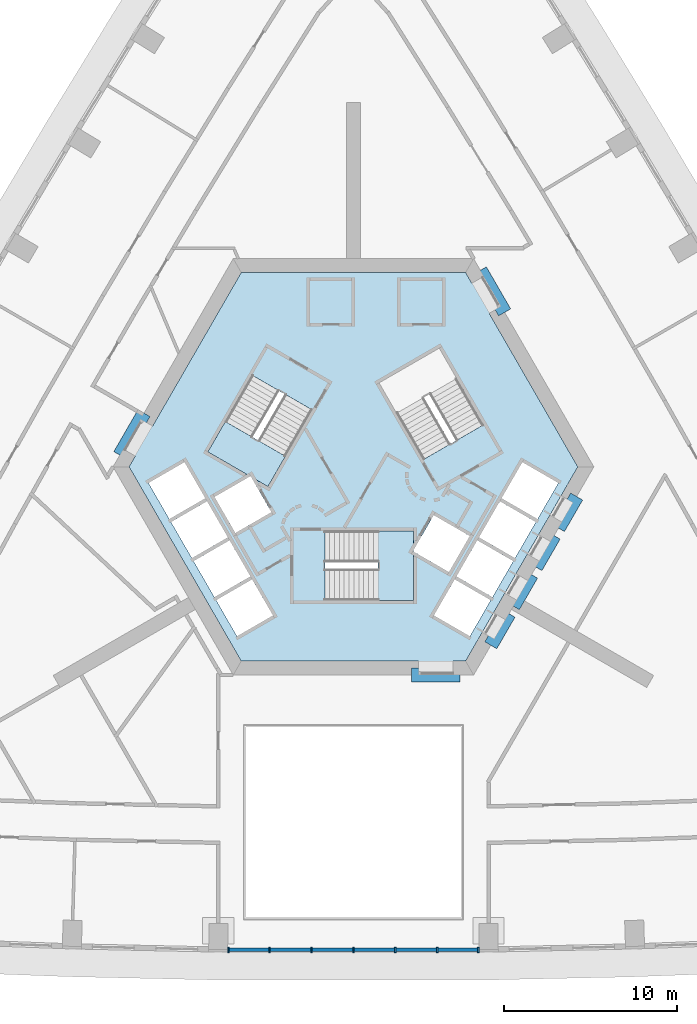
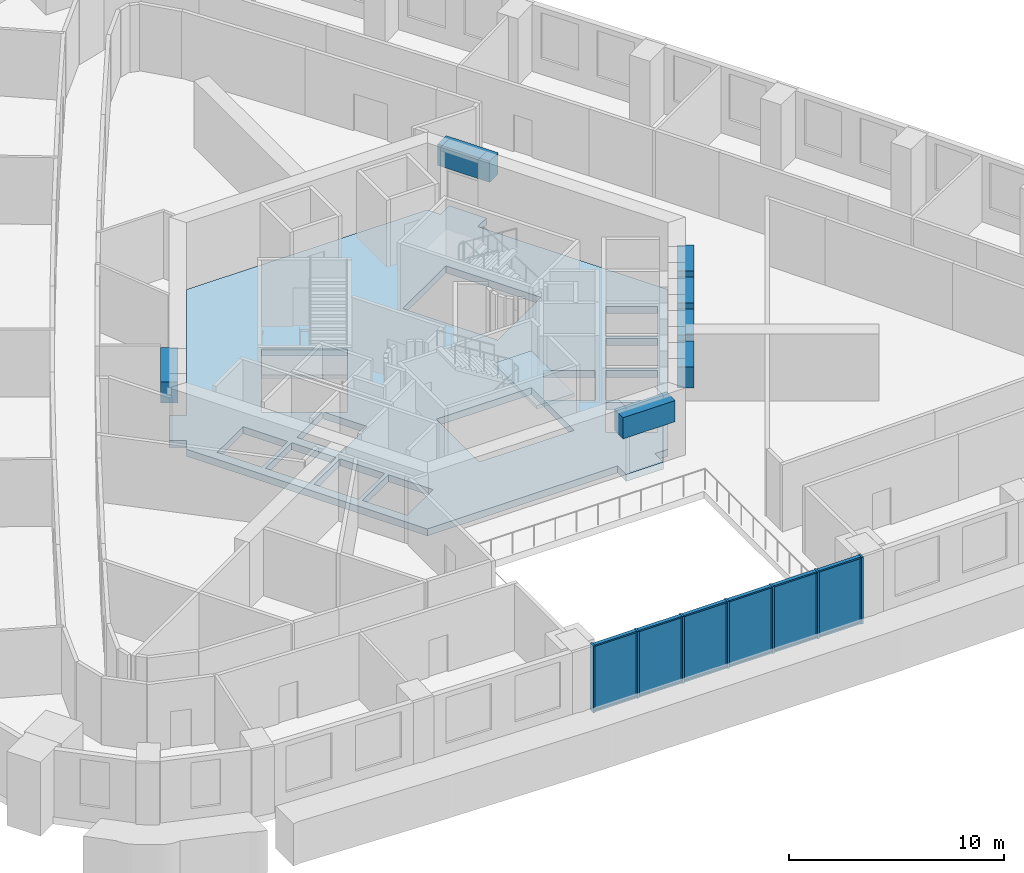
# One storey, part 2 of 17: 19 members, 7 beams, 6 plates, 3 slabs, 3 elements without a shape of their own.
"""IFC4 building model written with IfcOpenShell, lengths in metres."""

from ifc_helpers import new_model, si_unit, direction, frame, origin, origin_2d, place, context, subcontext, project, spatial, polyline, rectangle, outline, extrude, material, layer, layer_set, material_profile, profile_set, type_object, element, aggregate, save


model = new_model("IFC4")

# Units and contexts
model_context = context("Model", 3, precision=1e-05, world=origin(), true_north=direction((0.0, 1.0)))
body_context = subcontext(model_context, "Body", "Model", "MODEL_VIEW")
ifc_project = project(units=[si_unit("LENGTHUNIT", "METRE"), si_unit("AREAUNIT", "SQUARE_METRE"), si_unit("VOLUMEUNIT", "CUBIC_METRE"), si_unit("PLANEANGLEUNIT", "RADIAN"), si_unit("MASSUNIT", "GRAM", prefix="KILO")], contexts=[model_context])

# Site, building, storey
site_placement = place(None, origin())
site = spatial("IfcSite", under=ifc_project, at=site_placement, CompositionType="ELEMENT")
building_placement = place(site_placement, origin())
building = spatial("IfcBuilding", under=site, at=building_placement, Name="Entoto Arch Interchange Tower", CompositionType="ELEMENT")
storey_placement = place(building_placement, frame((0.0, 0.0, 167.60009765625)))
storey = spatial("IfcBuildingStorey", under=building, at=storey_placement, Name="L37", CompositionType="ELEMENT", Elevation=167.60009765625)

# Beams
ifc_material_1 = material(Name="Concrete C50/60", Category="concrete")
ifc_material_profile_1 = material_profile(ifc_material_1, rectangle(XDim=0.800048828125, YDim=1.199951171875, at=origin_2d()))
ifc_profile_set_1 = profile_set([ifc_material_profile_1], Name="Concrete C50/60")
beam_type = type_object("IfcBeamType", Name="Coupling beam RC 800x1200 C50/60", PredefinedType="BEAM", material=ifc_profile_set_1)
for number, where, z_axis, x_axis, name in (
    (1, (8.717041015625, 11.402099609375, 3.0), (-0.500200581029, 0.865909567298, 0.0), (-0.865909567298, -0.500200581029, 0.0), "Coupling beam NE L37"),
    (2, (-12.06689453125, 5.597900390625, 3.0), (-0.500200581029, -0.865909567298, 0.0), (0.865909567298, -0.500200581029, 0.0), "Coupling beam NW L37"),
):
    element("IfcBeam", number, at=place(storey_placement, frame(where, z_axis=z_axis, x_axis=x_axis)), inside=storey, type_object=beam_type, Name=name, PredefinedType="BEAM", context=body_context, shape_type="SweptSolid", body=[
        extrude(rectangle(XDim=0.800048828125, YDim=1.199951171875, at=origin_2d()), origin(), (0.0, 0.0, 1.0), 2.799072265625),
    ])
beam_1_placement = place(storey_placement, frame((3.35009765625, -9.5, 3.0), z_axis=(1.0, 0.0, 0.0), x_axis=(0.0, 1.0, 0.0)))
element("IfcBeam", 3, at=beam_1_placement, inside=storey, type_object=beam_type, Name="Coupling beam S L37", PredefinedType="BEAM", context=body_context, shape_type="SweptSolid", body=[
    extrude(rectangle(XDim=0.800048828125, YDim=1.199951171875, at=origin_2d()), origin(), (0.0, 0.0, 1.0), 2.7998046875),
])
for number, where, z_axis, x_axis, name in (
    (4, (7.9169921875, -7.785888671875, 3.0), (0.500178781653, 0.865922159541, 0.0), (-0.865922159541, 0.500178781653, 0.0), "Coupling beam SE L37"),
    (5, (9.217041015625, -5.534912109375, 3.0), (0.500178781653, 0.865922159541, 0.0), (-0.865922159541, 0.500178781653, 0.0), "Coupling beam SE L37"),
):
    element("IfcBeam", number, at=place(storey_placement, frame(where, z_axis=z_axis, x_axis=x_axis)), inside=storey, type_object=beam_type, Name=name, PredefinedType="BEAM", context=body_context, shape_type="SweptSolid", body=[
        extrude(rectangle(XDim=0.800048828125, YDim=1.199951171875, at=origin_2d()), origin(), (0.0, 0.0, 1.0), 2.099365234375),
    ])
beam_2_placement = place(storey_placement, frame((10.51708984375, -3.282958984375, 3.0), z_axis=(0.500091574638, 0.865972526687, 0.0), x_axis=(-0.865972526687, 0.500091574638, 0.0)))
element("IfcBeam", 6, at=beam_2_placement, inside=storey, type_object=beam_type, Name="Coupling beam SE L37", PredefinedType="BEAM", context=body_context, shape_type="SweptSolid", body=[
    extrude(rectangle(XDim=0.800048828125, YDim=1.199951171875, at=origin_2d()), origin(), (0.0, 0.0, 1.0), 2.09912109375),
])
beam_3_placement = place(storey_placement, frame((11.81689453125, -1.031982421875, 3.0), z_axis=(0.500178781653, 0.865922159541, 0.0), x_axis=(-0.865922159541, 0.500178781653, 0.0)))
element("IfcBeam", 7, at=beam_3_placement, inside=storey, type_object=beam_type, Name="Coupling beam SE L37", PredefinedType="BEAM", context=body_context, shape_type="SweptSolid", body=[
    extrude(rectangle(XDim=0.800048828125, YDim=1.199951171875, at=origin_2d()), origin(), (0.0, 0.0, 1.0), 2.099365234375),
])

# Curtain wall, members
ifc_material_2 = material(Name="Aluminium, anodised", Category="aluminium")
curtain_wall_type = type_object("IfcCurtainWallType", Name="CURTAIN WALL ATRIUM", PredefinedType="NOTDEFINED", material=ifc_material_2)
curtain_wall_placement = place(storey_placement, origin())
curtain_wall = element("IfcCurtainWall", 8, at=curtain_wall_placement, inside=storey, type_object=curtain_wall_type, Name="Atrium glazing S-03 L37", PredefinedType="NOTDEFINED")
ifc_material_profile_2 = material_profile(ifc_material_2, rectangle(XDim=0.300048828125, YDim=0.10009765625, at=origin_2d()))
ifc_profile_set_2 = profile_set([ifc_material_profile_2], Name="Aluminium, anodised")
member_type_1 = type_object("IfcMemberType", Name="MULLION ATRIUM 100x300", PredefinedType="MULLION", material=ifc_profile_set_2)
member_1_placement = place(storey_placement, frame((-7.198974609375, -25.347900390625, 0.0), z_axis=(0.0, 0.0, 1.0), x_axis=(0.0, 1.0, 0.0)))
member_1 = element("IfcMember", 9, at=member_1_placement, type_object=member_type_1, Name="CWA mullion 1", PredefinedType="MULLION", context=body_context, shape_type="SweptSolid", body=[
    extrude(rectangle(XDim=0.300048828125, YDim=0.10009765625, at=origin_2d()), origin(), (0.0, 0.0, 1.0), 3.7998046875),
])
member_2_placement = place(storey_placement, frame((-4.832763671875, -25.347900390625, 0.0), z_axis=(0.0, 0.0, 1.0), x_axis=(0.0, 1.0, 0.0)))
member_2 = element("IfcMember", 10, at=member_2_placement, type_object=member_type_1, Name="CWA mullion 2", PredefinedType="MULLION", context=body_context, shape_type="SweptSolid", body=[
    extrude(rectangle(XDim=0.300048828125, YDim=0.10009765625, at=origin_2d()), origin(), (0.0, 0.0, 1.0), 3.7998046875),
])
member_3_placement = place(storey_placement, frame((-2.416259765625, -25.347900390625, 0.0), z_axis=(0.0, 0.0, 1.0), x_axis=(0.0, 1.0, 0.0)))
member_3 = element("IfcMember", 11, at=member_3_placement, type_object=member_type_1, Name="CWA mullion 3", PredefinedType="MULLION", context=body_context, shape_type="SweptSolid", body=[
    extrude(rectangle(XDim=0.300048828125, YDim=0.10009765625, at=origin_2d()), origin(), (0.0, 0.0, 1.0), 3.7998046875),
])
member_4_placement = place(storey_placement, frame((0.0, -25.347900390625, 0.0), z_axis=(0.0, 0.0, 1.0), x_axis=(0.0, 1.0, 0.0)))
member_4 = element("IfcMember", 12, at=member_4_placement, type_object=member_type_1, Name="CWA mullion 4", PredefinedType="MULLION", context=body_context, shape_type="SweptSolid", body=[
    extrude(rectangle(XDim=0.300048828125, YDim=0.10009765625, at=origin_2d()), origin(), (0.0, 0.0, 1.0), 3.7998046875),
])
member_5_placement = place(storey_placement, frame((2.416259765625, -25.347900390625, 0.0), z_axis=(0.0, 0.0, 1.0), x_axis=(0.0, 1.0, 0.0)))
member_5 = element("IfcMember", 13, at=member_5_placement, type_object=member_type_1, Name="CWA mullion 5", PredefinedType="MULLION", context=body_context, shape_type="SweptSolid", body=[
    extrude(rectangle(XDim=0.300048828125, YDim=0.10009765625, at=origin_2d()), origin(), (0.0, 0.0, 1.0), 3.7998046875),
])
member_6_placement = place(storey_placement, frame((4.832763671875, -25.347900390625, 0.0), z_axis=(0.0, 0.0, 1.0), x_axis=(0.0, 1.0, 0.0)))
member_6 = element("IfcMember", 14, at=member_6_placement, type_object=member_type_1, Name="CWA mullion 6", PredefinedType="MULLION", context=body_context, shape_type="SweptSolid", body=[
    extrude(rectangle(XDim=0.300048828125, YDim=0.10009765625, at=origin_2d()), origin(), (0.0, 0.0, 1.0), 3.7998046875),
])
member_7_placement = place(storey_placement, frame((7.198974609375, -25.347900390625, 0.0), z_axis=(0.0, 0.0, 1.0), x_axis=(0.0, 1.0, 0.0)))
member_7 = element("IfcMember", 15, at=member_7_placement, type_object=member_type_1, Name="CWA mullion 7", PredefinedType="MULLION", context=body_context, shape_type="SweptSolid", body=[
    extrude(rectangle(XDim=0.300048828125, YDim=0.10009765625, at=origin_2d()), origin(), (0.0, 0.0, 1.0), 3.7998046875),
])
ifc_material_profile_3 = material_profile(ifc_material_2, rectangle(XDim=0.199951171875, YDim=0.080078125, at=origin_2d()))
ifc_profile_set_3 = profile_set([ifc_material_profile_3], Name="Aluminium, anodised")
member_type_2 = type_object("IfcMemberType", Name="TRANSOM ATRIUM 80x200", PredefinedType="USERDEFINED", material=ifc_profile_set_3)
member_8_placement = place(storey_placement, frame((-7.14892578125, -25.347900390625, 0.039794921875), z_axis=(1.0, 0.0, 0.0), x_axis=(0.0, 1.0, 0.0)))
member_8 = element("IfcMember", 16, at=member_8_placement, type_object=member_type_2, Name="CWA transom 1.1", ObjectType="TRANSOM", PredefinedType="USERDEFINED", context=body_context, shape_type="SweptSolid", body=[
    extrude(rectangle(XDim=0.199951171875, YDim=0.080078125, at=origin_2d()), origin(), (0.0, 0.0, 1.0), 2.266357421875),
])
member_9_placement = place(storey_placement, frame((-7.14892578125, -25.347900390625, 3.760009765625), z_axis=(1.0, 0.0, 0.0), x_axis=(0.0, 1.0, 0.0)))
member_9 = element("IfcMember", 17, at=member_9_placement, type_object=member_type_2, Name="CWA transom 1.2", ObjectType="TRANSOM", PredefinedType="USERDEFINED", context=body_context, shape_type="SweptSolid", body=[
    extrude(rectangle(XDim=0.199951171875, YDim=0.080078125, at=origin_2d()), origin(), (0.0, 0.0, 1.0), 2.266357421875),
])
member_10_placement = place(storey_placement, frame((-4.78271484375, -25.347900390625, 0.039794921875), z_axis=(1.0, 0.0, 0.0), x_axis=(0.0, 1.0, 0.0)))
member_10 = element("IfcMember", 18, at=member_10_placement, type_object=member_type_2, Name="CWA transom 2.1", ObjectType="TRANSOM", PredefinedType="USERDEFINED", context=body_context, shape_type="SweptSolid", body=[
    extrude(rectangle(XDim=0.199951171875, YDim=0.080078125, at=origin_2d()), origin(), (0.0, 0.0, 1.0), 2.31640625),
])
member_11_placement = place(storey_placement, frame((-4.78271484375, -25.347900390625, 3.760009765625), z_axis=(1.0, 0.0, 0.0), x_axis=(0.0, 1.0, 0.0)))
member_11 = element("IfcMember", 19, at=member_11_placement, type_object=member_type_2, Name="CWA transom 2.2", ObjectType="TRANSOM", PredefinedType="USERDEFINED", context=body_context, shape_type="SweptSolid", body=[
    extrude(rectangle(XDim=0.199951171875, YDim=0.080078125, at=origin_2d()), origin(), (0.0, 0.0, 1.0), 2.31640625),
])
member_12_placement = place(storey_placement, frame((-2.366455078125, -25.347900390625, 0.039794921875), z_axis=(1.0, 0.0, 0.0), x_axis=(0.0, 1.0, 0.0)))
member_12 = element("IfcMember", 20, at=member_12_placement, type_object=member_type_2, Name="CWA transom 3.1", ObjectType="TRANSOM", PredefinedType="USERDEFINED", context=body_context, shape_type="SweptSolid", body=[
    extrude(rectangle(XDim=0.199951171875, YDim=0.080078125, at=origin_2d()), origin(), (0.0, 0.0, 1.0), 2.31640625),
])
member_13_placement = place(storey_placement, frame((-2.366455078125, -25.347900390625, 3.760009765625), z_axis=(1.0, 0.0, 0.0), x_axis=(0.0, 1.0, 0.0)))
member_13 = element("IfcMember", 21, at=member_13_placement, type_object=member_type_2, Name="CWA transom 3.2", ObjectType="TRANSOM", PredefinedType="USERDEFINED", context=body_context, shape_type="SweptSolid", body=[
    extrude(rectangle(XDim=0.199951171875, YDim=0.080078125, at=origin_2d()), origin(), (0.0, 0.0, 1.0), 2.31640625),
])
member_14_placement = place(storey_placement, frame((0.050048828125, -25.347900390625, 0.039794921875), z_axis=(1.0, 0.0, 0.0), x_axis=(0.0, 1.0, 0.0)))
member_14 = element("IfcMember", 22, at=member_14_placement, type_object=member_type_2, Name="CWA transom 4.1", ObjectType="TRANSOM", PredefinedType="USERDEFINED", context=body_context, shape_type="SweptSolid", body=[
    extrude(rectangle(XDim=0.199951171875, YDim=0.080078125, at=origin_2d()), origin(), (0.0, 0.0, 1.0), 2.31640625),
])
member_15_placement = place(storey_placement, frame((0.050048828125, -25.347900390625, 3.760009765625), z_axis=(1.0, 0.0, 0.0), x_axis=(0.0, 1.0, 0.0)))
member_15 = element("IfcMember", 23, at=member_15_placement, type_object=member_type_2, Name="CWA transom 4.2", ObjectType="TRANSOM", PredefinedType="USERDEFINED", context=body_context, shape_type="SweptSolid", body=[
    extrude(rectangle(XDim=0.199951171875, YDim=0.080078125, at=origin_2d()), origin(), (0.0, 0.0, 1.0), 2.31640625),
])
member_16_placement = place(storey_placement, frame((2.46630859375, -25.347900390625, 0.039794921875), z_axis=(1.0, 0.0, 0.0), x_axis=(0.0, 1.0, 0.0)))
member_16 = element("IfcMember", 24, at=member_16_placement, type_object=member_type_2, Name="CWA transom 5.1", ObjectType="TRANSOM", PredefinedType="USERDEFINED", context=body_context, shape_type="SweptSolid", body=[
    extrude(rectangle(XDim=0.199951171875, YDim=0.080078125, at=origin_2d()), origin(), (0.0, 0.0, 1.0), 2.31640625),
])
member_17_placement = place(storey_placement, frame((2.46630859375, -25.347900390625, 3.760009765625), z_axis=(1.0, 0.0, 0.0), x_axis=(0.0, 1.0, 0.0)))
member_17 = element("IfcMember", 25, at=member_17_placement, type_object=member_type_2, Name="CWA transom 5.2", ObjectType="TRANSOM", PredefinedType="USERDEFINED", context=body_context, shape_type="SweptSolid", body=[
    extrude(rectangle(XDim=0.199951171875, YDim=0.080078125, at=origin_2d()), origin(), (0.0, 0.0, 1.0), 2.31640625),
])
member_18_placement = place(storey_placement, frame((4.882568359375, -25.347900390625, 0.039794921875), z_axis=(1.0, 0.0, 0.0), x_axis=(0.0, 1.0, 0.0)))
member_18 = element("IfcMember", 26, at=member_18_placement, type_object=member_type_2, Name="CWA transom 6.1", ObjectType="TRANSOM", PredefinedType="USERDEFINED", context=body_context, shape_type="SweptSolid", body=[
    extrude(rectangle(XDim=0.199951171875, YDim=0.080078125, at=origin_2d()), origin(), (0.0, 0.0, 1.0), 2.266357421875),
])
member_19_placement = place(storey_placement, frame((4.882568359375, -25.347900390625, 3.760009765625), z_axis=(1.0, 0.0, 0.0), x_axis=(0.0, 1.0, 0.0)))
member_19 = element("IfcMember", 27, at=member_19_placement, type_object=member_type_2, Name="CWA transom 6.2", ObjectType="TRANSOM", PredefinedType="USERDEFINED", context=body_context, shape_type="SweptSolid", body=[
    extrude(rectangle(XDim=0.199951171875, YDim=0.080078125, at=origin_2d()), origin(), (0.0, 0.0, 1.0), 2.266357421875),
])

# Slab
ifc_material_3 = material(Name="Concrete C40/50", Category="concrete")
ifc_layer_1 = layer(ifc_material_3, 0.39990234375)
ifc_layer_set_1 = layer_set([ifc_layer_1], Name="Concrete C40/50")
slab_type_1 = type_object("IfcSlabType", Name="Core floor slab 400 C40/50", PredefinedType="FLOOR", material=ifc_layer_set_1)
slab_1_placement = place(storey_placement, frame((0.0, 0.0, -0.400146484375)))
element("IfcSlab", 28, at=slab_1_placement, inside=storey, type_object=slab_type_1, Name="Core floor slab L37", PredefinedType="FLOOR", context=body_context, shape_type="SweptSolid", body=[
    extrude(outline(polyline([(5.75, -9.5), (3.75, -9.5), (3.75, -8.699951171875), (-6.466064453125, -8.699951171875), (-12.93310546875, 2.5), (-12.574951171875, 3.1201171875), (-13.26708984375, 3.52001953125), (-12.26708984375, 5.251953125), (-11.574951171875, 4.85205078125), (-6.466064453125, 13.699951171875), (6.466064453125, 13.699951171875), (6.823974609375, 13.080078125), (7.51708984375, 13.47998046875), (8.51708984375, 11.748046875), (7.823974609375, 11.347900390625), (12.93310546875, 2.5), (6.466064453125, -8.699951171875), (5.75, -8.699951171875), (5.75, -9.5)]), holes=[polyline([(-5.837890625, -3.988037109375), (-7.916015625, -5.18798828125), (-6.716064453125, -7.26708984375), (-4.637939453125, -6.06689453125), (-5.837890625, -3.988037109375)]), polyline([(-5.93798828125, -3.81494140625), (-7.137939453125, -1.737060546875), (-9.216064453125, -2.93701171875), (-8.01611328125, -5.014892578125), (-5.93798828125, -3.81494140625)]), polyline([(5.5048828125, -3.56494140625), (6.705078125, -1.487060546875), (4.626953125, -0.287109375), (3.449951171875, -2.324951171875), (3.449951171875, -1.199951171875), (-1.64990234375, -1.199951171875), (-1.64990234375, -5.199951171875), (3.449951171875, -5.199951171875), (3.449951171875, -2.3779296875), (5.5048828125, -3.56494140625)]), polyline([(-8.43798828125, 0.514892578125), (-10.51611328125, -0.68505859375), (-9.31591796875, -2.762939453125), (-7.238037109375, -1.56298828125), (-8.43798828125, 0.514892578125)]), polyline([(-4.72705078125, -0.113037109375), (-5.904052734375, 1.925048828125), (-4.928955078125, 1.362060546875), (-2.37890625, 5.779052734375), (-5.843017578125, 7.779052734375), (-8.39306640625, 3.362060546875), (-5.949951171875, 1.951904296875), (-8.0048828125, 0.764892578125), (-6.804931640625, -1.31298828125), (-4.72705078125, -0.113037109375)]), polyline([(-8.5380859375, 0.68798828125), (-9.738037109375, 2.76708984375), (-11.81591796875, 1.56689453125), (-10.615966796875, -0.511962890625), (-8.5380859375, 0.68798828125)]), polyline([(5.837890625, -3.988037109375), (4.637939453125, -6.06689453125), (6.716064453125, -7.26708984375), (7.916015625, -5.18798828125), (5.837890625, -3.988037109375)]), polyline([(7.137939453125, -1.737060546875), (5.93798828125, -3.81494140625), (8.01611328125, -5.014892578125), (9.216064453125, -2.93701171875), (7.137939453125, -1.737060546875)]), polyline([(8.43798828125, 0.514892578125), (7.238037109375, -1.56298828125), (9.31591796875, -2.762939453125), (10.51611328125, -0.68505859375), (8.43798828125, 0.514892578125)]), polyline([(9.738037109375, 2.76708984375), (8.5380859375, 0.68798828125), (10.615966796875, -0.511962890625), (11.81591796875, 1.56689453125), (9.738037109375, 2.76708984375)]), polyline([(4.029052734375, 2.9208984375), (7.492919921875, 4.9208984375), (4.943115234375, 9.337890625), (1.47900390625, 7.337890625), (4.029052734375, 2.9208984375)])]), origin(), (0.0, 0.0, 1.0), 0.400146484375),
])

# Stair, slab
stair_type = type_object("IfcStairType", Name="EXIT STAIR RC 1800", PredefinedType="HALF_TURN_STAIR", material=ifc_material_3)
stair_1_placement = place(storey_placement, origin())
stair_1 = element("IfcStair", 29, at=stair_1_placement, inside=storey, type_object=stair_type, Name="L37 Exit stair S", PredefinedType="HALF_TURN_STAIR")
ifc_layer_2 = layer(ifc_material_3, 0.199951171875)
ifc_layer_set_2 = layer_set([ifc_layer_2], Name="Concrete C40/50")
slab_type_2 = type_object("IfcSlabType", Name="EXIT STAIR LANDING RC 200", PredefinedType="LANDING", material=ifc_layer_set_2)
slab_2_placement = place(storey_placement, frame((0.0, 0.0, 1.89990234375)))
slab_2 = element("IfcSlab", 30, at=slab_2_placement, type_object=slab_type_2, Name="ST-S landing 1", PredefinedType="LANDING", context=body_context, shape_type="SweptSolid", body=[
    extrude(outline(polyline([(1.429931640625, -5.199951171875), (3.449951171875, -5.199951171875), (3.449951171875, -1.199951171875), (1.429931640625, -1.199951171875), (1.429931640625, -5.199951171875)])), origin(), (0.0, 0.0, 1.0), 0.199951171875),
])
aggregate(stair_1, [slab_2])

stair_2_placement = place(storey_placement, origin())
stair_2 = element("IfcStair", 31, at=stair_2_placement, inside=storey, type_object=stair_type, Name="L37 Exit stair NW", PredefinedType="HALF_TURN_STAIR")
slab_3_placement = place(storey_placement, frame((0.0, 0.0, 1.89990234375)))
slab_3 = element("IfcSlab", 32, at=slab_3_placement, type_object=slab_type_2, Name="ST-NW landing 1", PredefinedType="LANDING", context=body_context, shape_type="SweptSolid", body=[
    extrude(outline(polyline([(-7.38330078125, 5.111572265625), (-8.393310546875, 3.3623046875), (-4.92919921875, 1.3623046875), (-3.919189453125, 3.111572265625), (-7.38330078125, 5.111572265625)])), origin(), (0.0, 0.0, 1.0), 0.199951171875),
])
aggregate(stair_2, [slab_3])

# Plate
ifc_material_4 = material(Name="Clear glass, low-e double glazed", Category="glass")
ifc_layer_3 = layer(ifc_material_4, 0.031982421875)
ifc_layer_set_3 = layer_set([ifc_layer_3], Name="Clear glass, low-e double glazed")
plate_type = type_object("IfcPlateType", Name="GLAZING PANEL ATRIUM 32", PredefinedType="CURTAIN_PANEL", material=ifc_layer_set_3)
plate_1_placement = place(storey_placement, frame((-6.015869140625, -25.347900390625, 0.080078125), z_axis=(0.0, 0.0, 1.0), x_axis=(1.0, 0.0, 0.0)))
plate_1 = element("IfcPlate", 33, at=plate_1_placement, type_object=plate_type, Name="CWA panel 1.1", PredefinedType="CURTAIN_PANEL", context=body_context, shape_type="SweptSolid", body=[
    extrude(rectangle(XDim=2.266357421875, YDim=0.031982421875, at=origin_2d()), origin(), (0.0, 0.0, 1.0), 3.639892578125),
])

plate_2_placement = place(storey_placement, frame((-3.62451171875, -25.347900390625, 0.080078125), z_axis=(0.0, 0.0, 1.0), x_axis=(1.0, 0.0, 0.0)))
plate_2 = element("IfcPlate", 34, at=plate_2_placement, type_object=plate_type, Name="CWA panel 2.1", PredefinedType="CURTAIN_PANEL", context=body_context, shape_type="SweptSolid", body=[
    extrude(rectangle(XDim=2.31640625, YDim=0.031982421875, at=origin_2d()), origin(), (0.0, 0.0, 1.0), 3.639892578125),
])

plate_3_placement = place(storey_placement, frame((-1.208251953125, -25.347900390625, 0.080078125), z_axis=(0.0, 0.0, 1.0), x_axis=(1.0, 0.0, 0.0)))
plate_3 = element("IfcPlate", 35, at=plate_3_placement, type_object=plate_type, Name="CWA panel 3.1", PredefinedType="CURTAIN_PANEL", context=body_context, shape_type="SweptSolid", body=[
    extrude(rectangle(XDim=2.31640625, YDim=0.031982421875, at=origin_2d()), origin(), (0.0, 0.0, 1.0), 3.639892578125),
])

plate_4_placement = place(storey_placement, frame((1.208251953125, -25.347900390625, 0.080078125), z_axis=(0.0, 0.0, 1.0), x_axis=(1.0, 0.0, 0.0)))
plate_4 = element("IfcPlate", 36, at=plate_4_placement, type_object=plate_type, Name="CWA panel 4.1", PredefinedType="CURTAIN_PANEL", context=body_context, shape_type="SweptSolid", body=[
    extrude(rectangle(XDim=2.31640625, YDim=0.031982421875, at=origin_2d()), origin(), (0.0, 0.0, 1.0), 3.639892578125),
])

plate_5_placement = place(storey_placement, frame((3.62451171875, -25.347900390625, 0.080078125), z_axis=(0.0, 0.0, 1.0), x_axis=(1.0, 0.0, 0.0)))
plate_5 = element("IfcPlate", 37, at=plate_5_placement, type_object=plate_type, Name="CWA panel 5.1", PredefinedType="CURTAIN_PANEL", context=body_context, shape_type="SweptSolid", body=[
    extrude(rectangle(XDim=2.31640625, YDim=0.031982421875, at=origin_2d()), origin(), (0.0, 0.0, 1.0), 3.639892578125),
])

plate_6_placement = place(storey_placement, frame((6.015869140625, -25.347900390625, 0.080078125), z_axis=(0.0, 0.0, 1.0), x_axis=(1.0, 0.0, 0.0)))
plate_6 = element("IfcPlate", 38, at=plate_6_placement, type_object=plate_type, Name="CWA panel 6.1", PredefinedType="CURTAIN_PANEL", context=body_context, shape_type="SweptSolid", body=[
    extrude(rectangle(XDim=2.266357421875, YDim=0.031982421875, at=origin_2d()), origin(), (0.0, 0.0, 1.0), 3.639892578125),
])

aggregate(curtain_wall, [member_1, member_2, member_3, member_4, member_5, member_6, member_7, member_8, member_9, plate_1, member_10, member_11, plate_2, member_12, member_13, plate_3, member_14, member_15, plate_4, member_16, member_17, plate_5, member_18, member_19, plate_6])

save(model, "model.ifc")
